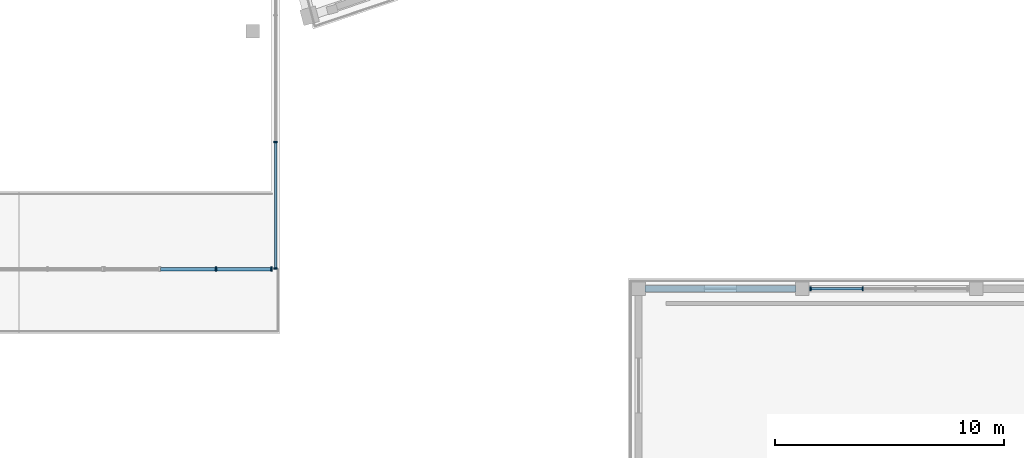
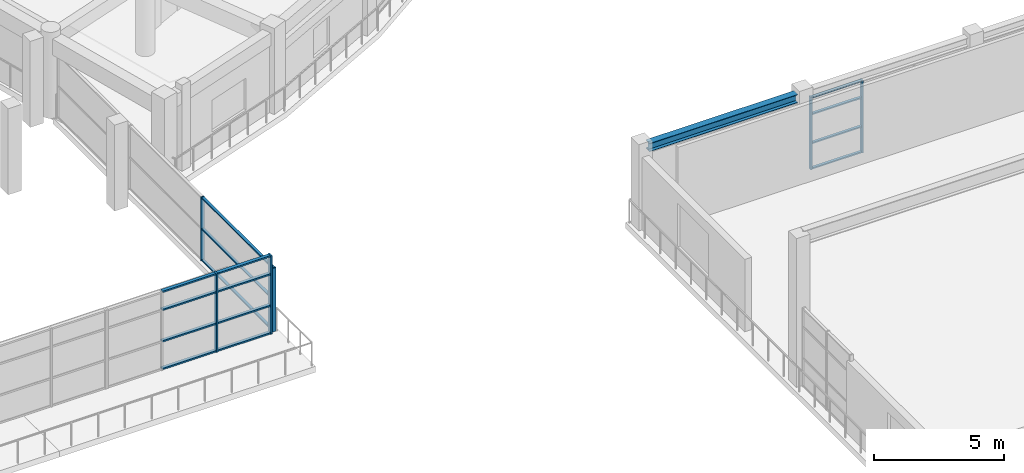
# One storey, part 19 of 87: 21 members, 1 beam, 3 elements without a shape of their own.
"""IFC4 building model written with IfcOpenShell, lengths in metres."""

from ifc_helpers import new_model, si_unit, direction, frame, origin, origin_2d, place, context, subcontext, project, spatial, rectangle, i_section, extrude, material, material_profile, profile_set, type_object, element, aggregate, save


model = new_model("IFC4")

# Units and contexts
model_context = context("Model", 3, precision=1e-05, world=origin(), true_north=direction((0.0, 1.0)))
body_context = subcontext(model_context, "Body", "Model", "MODEL_VIEW")
ifc_project = project(units=[si_unit("LENGTHUNIT", "METRE"), si_unit("AREAUNIT", "SQUARE_METRE"), si_unit("VOLUMEUNIT", "CUBIC_METRE"), si_unit("PLANEANGLEUNIT", "RADIAN"), si_unit("MASSUNIT", "GRAM", prefix="KILO")], contexts=[model_context])

# Site, building, storey
site_placement = place(None, origin())
site = spatial("IfcSite", under=ifc_project, at=site_placement, CompositionType="ELEMENT")
building_placement = place(site_placement, origin())
building = spatial("IfcBuilding", under=site, at=building_placement, Name="Saryqyr Civic Hall", CompositionType="ELEMENT")
storey_placement = place(building_placement, frame((0.0, 0.0, 5.10009765625)))
storey = spatial("IfcBuildingStorey", under=building, at=storey_placement, Name="L01", CompositionType="ELEMENT", Elevation=5.10009765625)

# Curtain wall, members
ifc_material_1 = material(Name="Anodised aluminium and triple low-E glass", Category="aluminium")
curtain_wall_type_1 = type_object("IfcCurtainWallType", Name="ENV-CW-STD-61", PredefinedType="NOTDEFINED", material=ifc_material_1)
curtain_wall_1_placement = place(storey_placement, origin())
curtain_wall_1 = element("IfcCurtainWall", 1, at=curtain_wall_1_placement, inside=storey, type_object=curtain_wall_type_1, Name="Curtain wall V7E-CW-L01-2-1", PredefinedType="NOTDEFINED")
ifc_material_2 = material(Name="Anodised aluminium", Category="aluminium")
ifc_material_profile_1 = material_profile(ifc_material_2, rectangle(XDim=0.06005859375, YDim=0.159912109375, at=origin_2d()), Name="ALU MULLION 60x160")
ifc_profile_set_1 = profile_set([ifc_material_profile_1], Name="Anodised aluminium")
member_type_1 = type_object("IfcMemberType", Name="ENV-CW-MUL-180", PredefinedType="MULLION", material=ifc_profile_set_1)
member_1_placement = place(storey_placement, frame((91.570068359375, 24.75, 0.0), z_axis=(0.0, 0.0, 1.0), x_axis=(1.0, 0.0, 0.0)))
member_1 = element("IfcMember", 2, at=member_1_placement, type_object=member_type_1, Name="CW-61 mullion 1", PredefinedType="MULLION", context=body_context, shape_type="SweptSolid", body=[
    extrude(rectangle(XDim=0.06005859375, YDim=0.159912109375, at=origin_2d()), origin(), (0.0, 0.0, 1.0), 3.40478515625),
])
member_2_placement = place(storey_placement, frame((93.8466796875, 24.75, 0.0), z_axis=(0.0, 0.0, 1.0), x_axis=(1.0, 0.0, 0.0)))
member_2 = element("IfcMember", 3, at=member_2_placement, type_object=member_type_1, Name="CW-61 mullion 2", PredefinedType="MULLION", context=body_context, shape_type="SweptSolid", body=[
    extrude(rectangle(XDim=0.06005859375, YDim=0.159912109375, at=origin_2d()), origin(), (0.0, 0.0, 1.0), 3.40478515625),
])

curtain_wall_type_2 = type_object("IfcCurtainWallType", Name="ENV-CW-STD-71", PredefinedType="NOTDEFINED", material=ifc_material_1)
curtain_wall_2_placement = place(storey_placement, origin())
curtain_wall_2 = element("IfcCurtainWall", 4, at=curtain_wall_2_placement, inside=storey, type_object=curtain_wall_type_2, Name="Curtain wall V2-VESTFLK-SE-L01", PredefinedType="NOTDEFINED")
member_3_placement = place(storey_placement, frame((68.199951171875, 31.154541015625, 0.0), z_axis=(0.0, 0.0, 1.0), x_axis=(0.0, -1.0, 0.0)))
member_3 = element("IfcMember", 5, at=member_3_placement, type_object=member_type_1, Name="CW-71 mullion 3", PredefinedType="MULLION", context=body_context, shape_type="SweptSolid", body=[
    extrude(rectangle(XDim=0.06005859375, YDim=0.159912109375, at=origin_2d()), origin(), (0.0, 0.0, 1.0), 2.994873046875),
])
member_4_placement = place(storey_placement, frame((68.199951171875, 25.639892578125, 0.0), z_axis=(0.0, 0.0, 1.0), x_axis=(0.0, -1.0, 0.0)))
member_4 = element("IfcMember", 6, at=member_4_placement, type_object=member_type_1, Name="CW-71 mullion 4", PredefinedType="MULLION", context=body_context, shape_type="SweptSolid", body=[
    extrude(rectangle(XDim=0.06005859375, YDim=0.159912109375, at=origin_2d()), origin(), (0.0, 0.0, 1.0), 2.994873046875),
])

curtain_wall_type_3 = type_object("IfcCurtainWallType", Name="ENV-CW-HVY-69", PredefinedType="NOTDEFINED", material=ifc_material_1)
curtain_wall_3_placement = place(storey_placement, origin())
curtain_wall_3 = element("IfcCurtainWall", 7, at=curtain_wall_3_placement, inside=storey, type_object=curtain_wall_type_3, Name="Curtain wall V2-PORTAL-CW-S-L01-2", PredefinedType="NOTDEFINED")
ifc_material_profile_2 = material_profile(ifc_material_2, rectangle(XDim=0.070068359375, YDim=0.199951171875, at=origin_2d()), Name="ALU MULLION 70x200")
ifc_profile_set_2 = profile_set([ifc_material_profile_2], Name="Anodised aluminium")
member_type_2 = type_object("IfcMemberType", Name="ENV-CW-MUL-220", PredefinedType="MULLION", material=ifc_profile_set_2)
member_5_placement = place(storey_placement, frame((68.014892578125, 25.610107421875, 0.0), z_axis=(0.0, 0.0, 1.0), x_axis=(-1.0, 0.0, 0.0)))
member_5 = element("IfcMember", 8, at=member_5_placement, type_object=member_type_2, Name="CW-69 mullion 1", PredefinedType="MULLION", context=body_context, shape_type="SweptSolid", body=[
    extrude(rectangle(XDim=0.070068359375, YDim=0.199951171875, at=origin_2d()), origin(), (0.0, 0.0, 1.0), 3.699951171875),
])
member_6_placement = place(storey_placement, frame((65.594482421875, 25.610107421875, 0.0), z_axis=(0.0, 0.0, 1.0), x_axis=(-1.0, 0.0, 0.0)))
member_6 = element("IfcMember", 9, at=member_6_placement, type_object=member_type_2, Name="CW-69 mullion 2", PredefinedType="MULLION", context=body_context, shape_type="SweptSolid", body=[
    extrude(rectangle(XDim=0.070068359375, YDim=0.199951171875, at=origin_2d()), origin(), (0.0, 0.0, 1.0), 3.699951171875),
])

# Member
ifc_material_profile_3 = material_profile(ifc_material_2, rectangle(XDim=0.1201171875, YDim=0.06005859375, at=origin_2d()), Name="ALU TRANSOM 120x60")
ifc_profile_set_3 = profile_set([ifc_material_profile_3], Name="Anodised aluminium")
member_type_3 = type_object("IfcMemberType", Name="ENV-CW-TRN-150", PredefinedType="USERDEFINED", material=ifc_profile_set_3)
member_7_placement = place(storey_placement, frame((91.60009765625, 24.75, 0.02978515625), z_axis=(1.0, 0.0, 0.0), x_axis=(0.0, 1.0, 0.0)))
member_7 = element("IfcMember", 10, at=member_7_placement, type_object=member_type_3, Name="CW-61 transom 1.1", ObjectType="TRANSOM", PredefinedType="USERDEFINED", context=body_context, shape_type="SweptSolid", body=[
    extrude(rectangle(XDim=0.1201171875, YDim=0.06005859375, at=origin_2d()), origin(), (0.0, 0.0, 1.0), 2.216552734375),
])

member_8_placement = place(storey_placement, frame((91.60009765625, 24.75, 1.225830078125), z_axis=(1.0, 0.0, 0.0), x_axis=(0.0, 1.0, 0.0)))
member_8 = element("IfcMember", 11, at=member_8_placement, type_object=member_type_3, Name="CW-61 transom 1.2", ObjectType="TRANSOM", PredefinedType="USERDEFINED", context=body_context, shape_type="SweptSolid", body=[
    extrude(rectangle(XDim=0.1201171875, YDim=0.06005859375, at=origin_2d()), origin(), (0.0, 0.0, 1.0), 2.216552734375),
])

member_9_placement = place(storey_placement, frame((91.60009765625, 24.75, 2.587890625), z_axis=(1.0, 0.0, 0.0), x_axis=(0.0, 1.0, 0.0)))
member_9 = element("IfcMember", 12, at=member_9_placement, type_object=member_type_3, Name="CW-61 transom 1.3", ObjectType="TRANSOM", PredefinedType="USERDEFINED", context=body_context, shape_type="SweptSolid", body=[
    extrude(rectangle(XDim=0.1201171875, YDim=0.06005859375, at=origin_2d()), origin(), (0.0, 0.0, 1.0), 2.216552734375),
])

member_10_placement = place(storey_placement, frame((91.60009765625, 24.75, 3.375), z_axis=(1.0, 0.0, 0.0), x_axis=(0.0, 1.0, 0.0)))
member_10 = element("IfcMember", 13, at=member_10_placement, type_object=member_type_3, Name="CW-61 transom 1.4", ObjectType="TRANSOM", PredefinedType="USERDEFINED", context=body_context, shape_type="SweptSolid", body=[
    extrude(rectangle(XDim=0.1201171875, YDim=0.06005859375, at=origin_2d()), origin(), (0.0, 0.0, 1.0), 2.216552734375),
])

aggregate(curtain_wall_1, [member_1, member_2, member_7, member_8, member_9, member_10])

member_11_placement = place(storey_placement, frame((68.199951171875, 31.12451171875, 0.02978515625), z_axis=(0.0, -1.0, 0.0), x_axis=(1.0, 0.0, 0.0)))
member_11 = element("IfcMember", 14, at=member_11_placement, type_object=member_type_3, Name="CW-71 transom 3.1", ObjectType="TRANSOM", PredefinedType="USERDEFINED", context=body_context, shape_type="SweptSolid", body=[
    extrude(rectangle(XDim=0.1201171875, YDim=0.06005859375, at=origin_2d()), origin(), (0.0, 0.0, 1.0), 5.45458984375),
])

member_12_placement = place(storey_placement, frame((68.199951171875, 31.12451171875, 1.497802734375), z_axis=(0.0, -1.0, 0.0), x_axis=(1.0, 0.0, 0.0)))
member_12 = element("IfcMember", 15, at=member_12_placement, type_object=member_type_3, Name="CW-71 transom 3.2", ObjectType="TRANSOM", PredefinedType="USERDEFINED", context=body_context, shape_type="SweptSolid", body=[
    extrude(rectangle(XDim=0.1201171875, YDim=0.06005859375, at=origin_2d()), origin(), (0.0, 0.0, 1.0), 5.45458984375),
])

member_13_placement = place(storey_placement, frame((68.199951171875, 31.12451171875, 2.96484375), z_axis=(0.0, -1.0, 0.0), x_axis=(1.0, 0.0, 0.0)))
member_13 = element("IfcMember", 16, at=member_13_placement, type_object=member_type_3, Name="CW-71 transom 3.3", ObjectType="TRANSOM", PredefinedType="USERDEFINED", context=body_context, shape_type="SweptSolid", body=[
    extrude(rectangle(XDim=0.1201171875, YDim=0.06005859375, at=origin_2d()), origin(), (0.0, 0.0, 1.0), 5.45458984375),
])

aggregate(curtain_wall_2, [member_3, member_4, member_11, member_12, member_13])

ifc_material_profile_4 = material_profile(ifc_material_2, rectangle(XDim=0.14990234375, YDim=0.070068359375, at=origin_2d()), Name="ALU TRANSOM 150x70")
ifc_profile_set_4 = profile_set([ifc_material_profile_4], Name="Anodised aluminium")
member_type_4 = type_object("IfcMemberType", Name="ENV-CW-TRN-180", PredefinedType="USERDEFINED", material=ifc_profile_set_4)
member_14_placement = place(storey_placement, frame((67.97998046875, 25.610107421875, 0.034912109375), z_axis=(-1.0, 0.0, 0.0), x_axis=(0.0, -1.0, 0.0)))
member_14 = element("IfcMember", 17, at=member_14_placement, type_object=member_type_4, Name="CW-69 transom 1.1", ObjectType="TRANSOM", PredefinedType="USERDEFINED", context=body_context, shape_type="SweptSolid", body=[
    extrude(rectangle(XDim=0.14990234375, YDim=0.070068359375, at=origin_2d()), origin(), (0.0, 0.0, 1.0), 2.3505859375),
])

member_15_placement = place(storey_placement, frame((67.97998046875, 25.610107421875, 1.331787109375), z_axis=(-1.0, 0.0, 0.0), x_axis=(0.0, -1.0, 0.0)))
member_15 = element("IfcMember", 18, at=member_15_placement, type_object=member_type_4, Name="CW-69 transom 1.2", ObjectType="TRANSOM", PredefinedType="USERDEFINED", context=body_context, shape_type="SweptSolid", body=[
    extrude(rectangle(XDim=0.14990234375, YDim=0.070068359375, at=origin_2d()), origin(), (0.0, 0.0, 1.0), 2.3505859375),
])

member_16_placement = place(storey_placement, frame((67.97998046875, 25.610107421875, 2.81201171875), z_axis=(-1.0, 0.0, 0.0), x_axis=(0.0, -1.0, 0.0)))
member_16 = element("IfcMember", 19, at=member_16_placement, type_object=member_type_4, Name="CW-69 transom 1.3", ObjectType="TRANSOM", PredefinedType="USERDEFINED", context=body_context, shape_type="SweptSolid", body=[
    extrude(rectangle(XDim=0.14990234375, YDim=0.070068359375, at=origin_2d()), origin(), (0.0, 0.0, 1.0), 2.3505859375),
])

member_17_placement = place(storey_placement, frame((67.97998046875, 25.610107421875, 3.664794921875), z_axis=(-1.0, 0.0, 0.0), x_axis=(0.0, -1.0, 0.0)))
member_17 = element("IfcMember", 20, at=member_17_placement, type_object=member_type_4, Name="CW-69 transom 1.4", ObjectType="TRANSOM", PredefinedType="USERDEFINED", context=body_context, shape_type="SweptSolid", body=[
    extrude(rectangle(XDim=0.14990234375, YDim=0.070068359375, at=origin_2d()), origin(), (0.0, 0.0, 1.0), 2.3505859375),
])

member_18_placement = place(storey_placement, frame((65.559326171875, 25.610107421875, 0.034912109375), z_axis=(-1.0, 0.0, 0.0), x_axis=(0.0, -1.0, 0.0)))
member_18 = element("IfcMember", 21, at=member_18_placement, type_object=member_type_4, Name="CW-69 transom 2.1", ObjectType="TRANSOM", PredefinedType="USERDEFINED", context=body_context, shape_type="SweptSolid", body=[
    extrude(rectangle(XDim=0.14990234375, YDim=0.070068359375, at=origin_2d()), origin(), (0.0, 0.0, 1.0), 2.385498046875),
])

member_19_placement = place(storey_placement, frame((65.559326171875, 25.610107421875, 1.331787109375), z_axis=(-1.0, 0.0, 0.0), x_axis=(0.0, -1.0, 0.0)))
member_19 = element("IfcMember", 22, at=member_19_placement, type_object=member_type_4, Name="CW-69 transom 2.2", ObjectType="TRANSOM", PredefinedType="USERDEFINED", context=body_context, shape_type="SweptSolid", body=[
    extrude(rectangle(XDim=0.14990234375, YDim=0.070068359375, at=origin_2d()), origin(), (0.0, 0.0, 1.0), 2.385498046875),
])

member_20_placement = place(storey_placement, frame((65.559326171875, 25.610107421875, 2.81201171875), z_axis=(-1.0, 0.0, 0.0), x_axis=(0.0, -1.0, 0.0)))
member_20 = element("IfcMember", 23, at=member_20_placement, type_object=member_type_4, Name="CW-69 transom 2.3", ObjectType="TRANSOM", PredefinedType="USERDEFINED", context=body_context, shape_type="SweptSolid", body=[
    extrude(rectangle(XDim=0.14990234375, YDim=0.070068359375, at=origin_2d()), origin(), (0.0, 0.0, 1.0), 2.385498046875),
])

member_21_placement = place(storey_placement, frame((65.559326171875, 25.610107421875, 3.664794921875), z_axis=(-1.0, 0.0, 0.0), x_axis=(0.0, -1.0, 0.0)))
member_21 = element("IfcMember", 24, at=member_21_placement, type_object=member_type_4, Name="CW-69 transom 2.4", ObjectType="TRANSOM", PredefinedType="USERDEFINED", context=body_context, shape_type="SweptSolid", body=[
    extrude(rectangle(XDim=0.14990234375, YDim=0.070068359375, at=origin_2d()), origin(), (0.0, 0.0, 1.0), 2.385498046875),
])

aggregate(curtain_wall_3, [member_5, member_6, member_14, member_15, member_16, member_17, member_18, member_19, member_20, member_21])

# Beam
ifc_material_3 = material(Name="Steel S355", Category="steel")
ifc_material_profile_5 = material_profile(ifc_material_3, i_section(OverallWidth=0.300048828125, OverallDepth=0.389892578125, WebThickness=0.010986328125, FlangeThickness=0.01904296875, at=origin_2d()), Name="HEA 400")
ifc_profile_set_5 = profile_set([ifc_material_profile_5], Name="Steel S355")
beam_type = type_object("IfcBeamType", Name="STR-BM-HEA400", PredefinedType="BEAM", material=ifc_profile_set_5)
beam_placement = place(storey_placement, frame((84.324951171875, 24.75, 3.625), z_axis=(1.0, 0.0, 0.0), x_axis=(0.0, 1.0, 0.0)))
element("IfcBeam", 25, at=beam_placement, inside=storey, type_object=beam_type, Name="Beam V7E-EBM-N1", PredefinedType="BEAM", context=body_context, shape_type="SweptSolid", body=[
    extrude(i_section(OverallWidth=0.300048828125, OverallDepth=0.389892578125, WebThickness=0.010986328125, FlangeThickness=0.01904296875, at=origin_2d()), origin(), (0.0, 0.0, 1.0), 6.60009765625),
])

save(model, "model.ifc")
